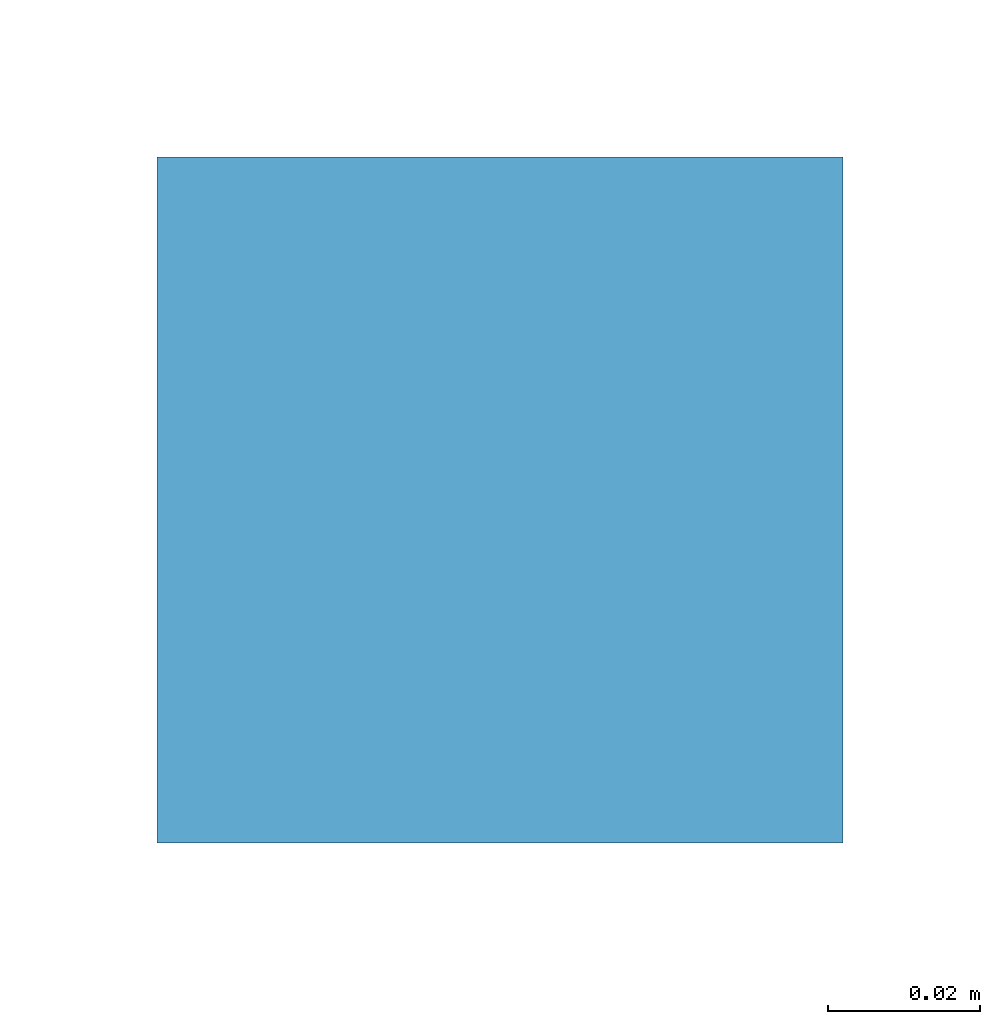
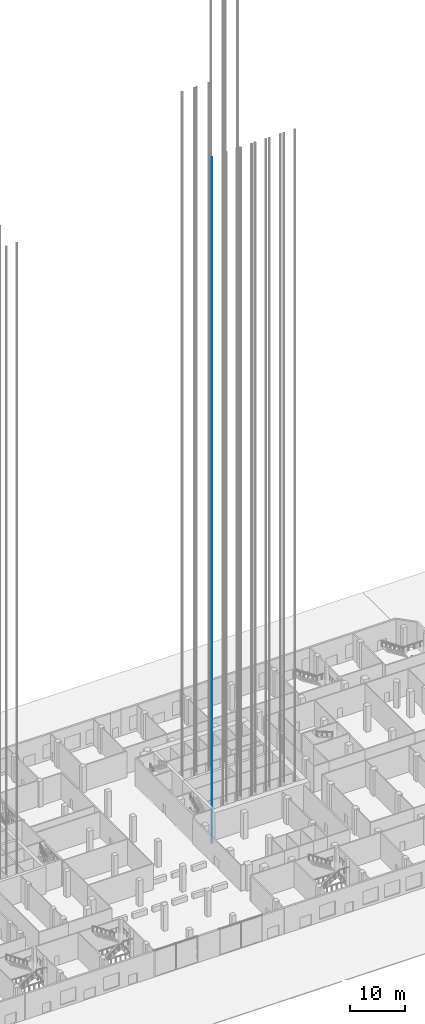
# One storey, part 12 of 55: 1 member.
"""IFC4 building model written with IfcOpenShell, lengths in metres."""

import ifcopenshell
import ifcopenshell.guid

model = None  # the IFC model being written
_history = None  # IfcOwnerHistory: only IFC2X3 demands one
_inside = {}  # id of a spatial element -> (the spatial element, [elements in it])
_under = {}  # id of a project, library or spatial element -> (it, [spatial elements below it])
_declared = {}  # id of a project -> (the project, [libraries it declares])
_typed = {}  # id of a type object -> (the type object, [elements of that type])
_made_of = {}  # id of a material, layer set ... -> (it, [elements and type objects made of it])


def new_model(schema):
    """Start an empty IFC model of exactly this schema.

    Asked for "IFC4X3", IfcOpenShell would pick the latest addendum, in which some entities
    have other attributes; the version numbers below select the first issue.
    IFC2X3 requires an IfcOwnerHistory on every rooted entity: one is made here for all.
    """
    global model, _history
    if schema == "IFC4X3":
        model = ifcopenshell.file(schema_version=(4, 3, 0, 0))
    else:
        model = ifcopenshell.file(schema=schema)
    _inside.clear()
    _under.clear()
    _declared.clear()
    _typed.clear()
    _made_of.clear()
    _history = None
    if model.schema == "IFC2X3":
        org = make("IfcOrganization", Name="unknown")
        user = make(
            "IfcPersonAndOrganization",
            ThePerson=make("IfcPerson", FamilyName="unknown"),
            TheOrganization=org,
        )
        app = make(
            "IfcApplication",
            ApplicationDeveloper=org,
            Version="unknown",
            ApplicationFullName="unknown",
            ApplicationIdentifier="unknown",
        )
        _history = make(
            "IfcOwnerHistory",
            OwningUser=user,
            OwningApplication=app,
            ChangeAction="ADDED",
            CreationDate=0,
        )
    return model


def make(cls, **values):
    """One entity of the class cls with the attributes given. An attribute that is None is left unset."""
    return model.create_entity(
        cls, **{name: value for name, value in values.items() if value is not None}
    )


def rooted(cls, **values):
    """An entity with a GlobalId (a new one), such as an element, a storey or a relation."""
    return make(cls, GlobalId=ifcopenshell.guid.new(), OwnerHistory=_history, **values)


def si_unit(unit_type, name, prefix=None):
    """IfcSIUnit, for example si_unit("LENGTHUNIT", "METRE", prefix="MILLI")."""
    return make("IfcSIUnit", UnitType=unit_type, Prefix=prefix, Name=name)


def assignment(units):
    """IfcUnitAssignment: the units of a project."""
    return None if units is None else make("IfcUnitAssignment", Units=units)


def point(xyz):
    """IfcCartesianPoint."""
    return None if xyz is None else make("IfcCartesianPoint", Coordinates=xyz)


def direction(xyz):
    """IfcDirection."""
    return None if xyz is None else make("IfcDirection", DirectionRatios=xyz)


def frame(location, z_axis=None, x_axis=None):
    """IfcAxis2Placement3D, a coordinate frame: its origin and axes. An axis left out is left unset."""
    return make(
        "IfcAxis2Placement3D",
        Location=point(location),
        Axis=direction(z_axis),
        RefDirection=direction(x_axis),
    )


def frame_2d(location, x_axis=None):
    """IfcAxis2Placement2D, a coordinate frame in the plane: its origin and x axis."""
    return make(
        "IfcAxis2Placement2D", Location=point(location), RefDirection=direction(x_axis)
    )


def origin():
    """The frame at (0, 0, 0) with its axes left unset."""
    return frame((0.0, 0.0, 0.0))


def origin_2d():
    """The frame at (0, 0) in the plane with its x axis left unset."""
    return frame_2d((0.0, 0.0))


def place(relative_to, where):
    """IfcLocalPlacement: puts the frame where relative to a parent placement (None: the world)."""
    return make(
        "IfcLocalPlacement", PlacementRelTo=relative_to, RelativePlacement=where
    )


def context(
    kind, dimensions, precision=None, world=None, true_north=None, identifier=None
):
    """IfcGeometricRepresentationContext, for example the 3D "Model" context."""
    return make(
        "IfcGeometricRepresentationContext",
        ContextIdentifier=identifier,
        ContextType=kind,
        CoordinateSpaceDimension=dimensions,
        Precision=precision,
        WorldCoordinateSystem=world,
        TrueNorth=true_north,
    )


def subcontext(parent, identifier, kind, view, scale=None):
    """IfcGeometricRepresentationSubContext, for example "Body" below "Model"."""
    return make(
        "IfcGeometricRepresentationSubContext",
        ContextIdentifier=identifier,
        ContextType=kind,
        ParentContext=parent,
        TargetScale=scale,
        TargetView=view,
    )


def project(units=None, contexts=None):
    """IfcProject with its units and contexts."""
    return rooted(
        "IfcProject",
        Name="project",
        RepresentationContexts=contexts,
        UnitsInContext=assignment(units),
    )


def spatial(cls, under=None, at=None, **own):
    """A site, building, storey or space (cls), placed at a placement, below another one or the project."""
    s = rooted(cls, ObjectPlacement=at, **own)
    if under is not None:
        _under.setdefault(under.id(), (under, []))[1].append(s)
    return s


def profile(cls, at=None, kind="AREA", **sizes):
    """A parametric profile (cls). Its sizes go by their IFC names, for example OverallWidth=200.0."""
    return make(cls, ProfileType=kind, Position=at, **sizes)


def rectangle(**sizes):
    """IfcRectangleProfileDef."""
    return profile("IfcRectangleProfileDef", **sizes)


def extrude(swept, where, along, depth):
    """IfcExtrudedAreaSolid: the profile swept, set in the frame where, extruded along a direction by depth."""
    return make(
        "IfcExtrudedAreaSolid",
        SweptArea=swept,
        Position=where,
        ExtrudedDirection=direction(along),
        Depth=depth,
    )


def shape(context_of_items, identifier, shape_type, items):
    """IfcShapeRepresentation: the items that make up one representation, for example the "Body"."""
    return make(
        "IfcShapeRepresentation",
        ContextOfItems=context_of_items,
        RepresentationIdentifier=identifier,
        RepresentationType=shape_type,
        Items=items,
    )


def material(Name=None, Category=None):
    """IfcMaterial."""
    return make("IfcMaterial", Name=Name, Category=Category)


def material_profile(
    of_material, cross_section, Name=None, Category=None, Priority=None
):
    """IfcMaterialProfile: a cross section and its material."""
    return make(
        "IfcMaterialProfile",
        Name=Name,
        Material=of_material,
        Profile=cross_section,
        Priority=Priority,
        Category=Category,
    )


def profile_set(profiles, Name=None, composite=None):
    """IfcMaterialProfileSet."""
    return make(
        "IfcMaterialProfileSet",
        Name=Name,
        MaterialProfiles=profiles,
        CompositeProfile=composite,
    )


def made_of(thing, what):
    """Note that an element or type object is made of a material, layer set ...; save() writes the relation."""
    if what is not None:
        _made_of.setdefault(what.id(), (what, []))[1].append(thing)
    return thing


def type_object(cls, material=None, **own):
    """A type object (cls), such as IfcWallType, which elements share."""
    return made_of(rooted(cls, **own), material)


def element(
    cls,
    number,
    at=None,
    inside=None,
    cuts=None,
    type_object=None,
    material=None,
    context=None,
    identifier="Body",
    shape_type=None,
    held_by="IfcProductDefinitionShape",
    body=None,
    shapes=None,
    **own,
):
    """One element of the class cls, such as IfcWall. Its Tag is "e" and its number.

    at: its placement. inside: the storey or other place that contains it. cuts: it is an
    opening in that element (IfcRelVoidsElement). A single representation is given by context,
    identifier, shape_type and body (its items); several are given by shapes. held_by: the class
    of the entity that holds the representations. save() writes the other relations.
    """
    e = rooted(cls, Tag="e%d" % number, ObjectPlacement=at, **own)
    if body is not None:
        shapes = [shape(context, identifier, shape_type, body)]
    if shapes is not None:
        e.Representation = make(held_by, Representations=shapes)
    if inside is not None:
        _inside.setdefault(inside.id(), (inside, []))[1].append(e)
    if cuts is not None:
        rooted(
            "IfcRelVoidsElement", RelatingBuildingElement=cuts, RelatedOpeningElement=e
        )
    if type_object is not None:
        _typed.setdefault(type_object.id(), (type_object, []))[1].append(e)
    return made_of(e, material)


def aggregate(whole, parts):
    """IfcRelAggregates: a whole, such as a stair, and the parts it consists of."""
    return rooted("IfcRelAggregates", RelatingObject=whole, RelatedObjects=parts)


def save(model, path):
    """Write the relations noted so far, then the file.

    IfcRelAggregates (storeys below a building ...), IfcRelContainedInSpatialStructure (elements
    in a storey), IfcRelDefinesByType, IfcRelAssociatesMaterial and IfcRelDeclares: one each for
    every whole, place, type object, material and project.
    """
    for whole, parts in _under.values():
        aggregate(whole, parts)
    for where, things in _inside.values():
        rooted(
            "IfcRelContainedInSpatialStructure",
            RelatedElements=things,
            RelatingStructure=where,
        )
    for kind, things in _typed.values():
        rooted("IfcRelDefinesByType", RelatedObjects=things, RelatingType=kind)
    for what, things in _made_of.values():
        rooted("IfcRelAssociatesMaterial", RelatedObjects=things, RelatingMaterial=what)
    for by, libraries in _declared.values():
        rooted("IfcRelDeclares", RelatingContext=by, RelatedDefinitions=libraries)
    model.write(path)


model = new_model("IFC4")

# Units and contexts
model_context = context("Model", 3, precision=1e-05, world=origin(), true_north=direction((0.0, 1.0)))
body_context = subcontext(model_context, "Body", "Model", "MODEL_VIEW")
ifc_project = project(units=[si_unit("LENGTHUNIT", "METRE"), si_unit("AREAUNIT", "SQUARE_METRE"), si_unit("VOLUMEUNIT", "CUBIC_METRE"), si_unit("PLANEANGLEUNIT", "RADIAN"), si_unit("MASSUNIT", "GRAM", prefix="KILO")], contexts=[model_context])

# Site, building, storey
site_placement = place(None, origin())
site = spatial("IfcSite", under=ifc_project, at=site_placement, CompositionType="ELEMENT")
building_placement = place(site_placement, origin())
building = spatial("IfcBuilding", under=site, at=building_placement, Name="Cinnabar Reach Civic Tower", CompositionType="ELEMENT")
storey_placement = place(building_placement, origin())
storey = spatial("IfcBuildingStorey", under=building, at=storey_placement, Name="L00", CompositionType="ELEMENT", Elevation=0.0)

# Member
ifc_material = material(Name="Steel Q355B", Category="steel")
ifc_material_profile = material_profile(ifc_material, rectangle(XDim=0.09, YDim=0.09, at=origin_2d()), Name="T1 lift guide rail")
ifc_profile_set = profile_set([ifc_material_profile], Name="Steel Q355B")
member_type = type_object("IfcMemberType", Name="T1 lift guide rail", PredefinedType="USERDEFINED", material=ifc_profile_set)
member_placement = place(storey_placement, frame((4.87, 22.5, -2.5), z_axis=(0.0, 0.0, 1.0), x_axis=(1.0, 0.0, 0.0)))
element("IfcMember", 1, at=member_placement, inside=storey, type_object=member_type, Name="T1-LR1 guide rail 1", ObjectType="GUIDE RAIL", PredefinedType="USERDEFINED", context=body_context, shape_type="SweptSolid", body=[
    extrude(rectangle(XDim=0.09, YDim=0.09, at=origin_2d()), origin(), (0.0, 0.0, 1.0), 150.9),
])

save(model, "model.ifc")
